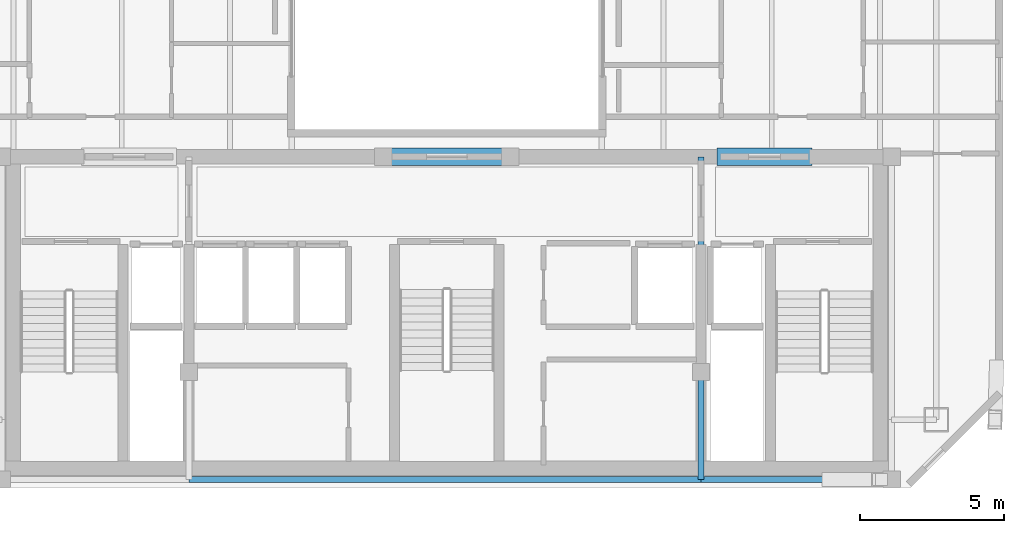
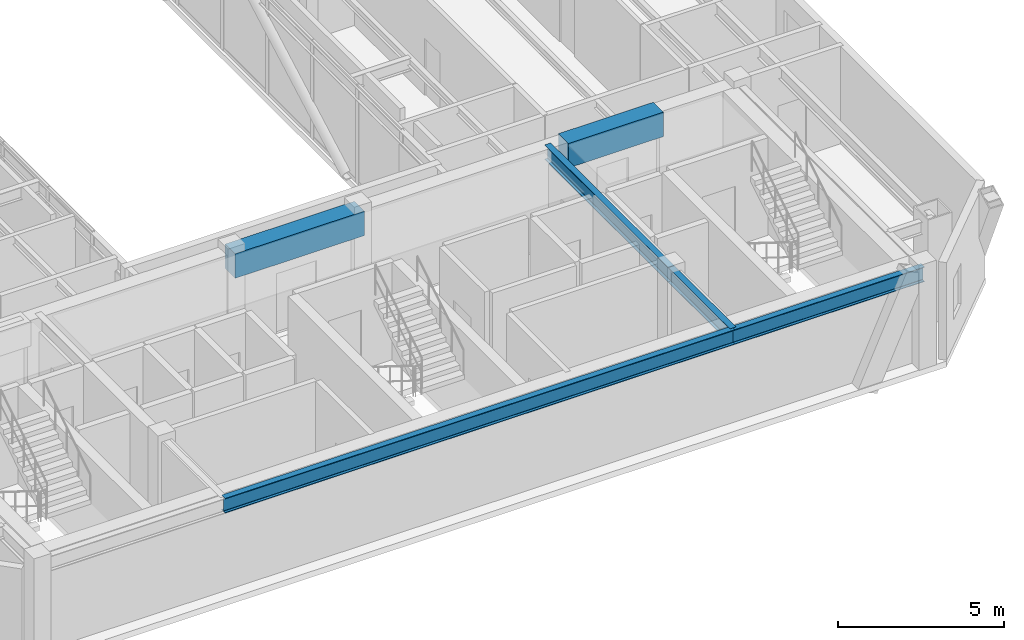
# One storey, part 3 of 19: 6 beams.
"""IFC4 building model written with IfcOpenShell, lengths in metres."""

from ifc_helpers import new_model, si_unit, direction, frame, origin, origin_2d, place, context, subcontext, project, spatial, rectangle, i_section, extrude, material, material_profile, profile_set, type_object, element, save


model = new_model("IFC4")

# Units and contexts
model_context = context("Model", 3, precision=1e-05, world=origin(), true_north=direction((0.0, 1.0)))
body_context = subcontext(model_context, "Body", "Model", "MODEL_VIEW")
ifc_project = project(units=[si_unit("LENGTHUNIT", "METRE"), si_unit("AREAUNIT", "SQUARE_METRE"), si_unit("VOLUMEUNIT", "CUBIC_METRE"), si_unit("PLANEANGLEUNIT", "RADIAN"), si_unit("MASSUNIT", "GRAM", prefix="KILO")], contexts=[model_context])

# Site, building, storey
site_placement = place(None, origin())
site = spatial("IfcSite", under=ifc_project, at=site_placement, CompositionType="ELEMENT")
building_placement = place(site_placement, origin())
building = spatial("IfcBuilding", under=site, at=building_placement, Name="Ventersveld Concourse Tower", CompositionType="ELEMENT")
storey_placement = place(building_placement, frame((0.0, 0.0, 345.199951171875)))
storey = spatial("IfcBuildingStorey", under=building, at=storey_placement, Name="L85", CompositionType="ELEMENT", Elevation=345.199951171875)

# Beams
ifc_material_1 = material(Name="Concrete C50/60", Category="concrete")
ifc_material_profile_1 = material_profile(ifc_material_1, rectangle(XDim=0.60009765625, YDim=0.89990234375, at=origin_2d()), Name="RC 600x900")
ifc_profile_set_1 = profile_set([ifc_material_profile_1], Name="Concrete C50/60")
beam_type_1 = type_object("IfcBeamType", Name="CB-RC600x900U", PredefinedType="LINTEL", material=ifc_profile_set_1)
beam_1_placement = place(storey_placement, frame((26.5, 11.449951171875, 3.14013671875), z_axis=(1.0, 0.0, 0.0), x_axis=(0.0, 1.0, 0.0)))
element("IfcBeam", 1, at=beam_1_placement, inside=storey, type_object=beam_type_1, Name="L85 Core Coupling Lintel Beam 2", PredefinedType="LINTEL", context=body_context, shape_type="SweptSolid", body=[
    extrude(rectangle(XDim=0.60009765625, YDim=0.89990234375, at=origin_2d()), origin(), (0.0, 0.0, 1.0), 4.5),
])
beam_2_placement = place(storey_placement, frame((38.10009765625, 11.449951171875, 3.14013671875), z_axis=(1.0, 0.0, 0.0), x_axis=(0.0, 1.0, 0.0)))
element("IfcBeam", 2, at=beam_2_placement, inside=storey, type_object=beam_type_1, Name="L85 Core Coupling Lintel Beam 3", PredefinedType="LINTEL", context=body_context, shape_type="SweptSolid", body=[
    extrude(rectangle(XDim=0.60009765625, YDim=0.89990234375, at=origin_2d()), origin(), (0.0, 0.0, 1.0), 3.2998046875),
])
ifc_material_2 = material(Name="Structural steel S355J2", Category="steel")
ifc_material_profile_2 = material_profile(ifc_material_2, i_section(OverallWidth=0.2119140625, OverallDepth=0.54443359375, WebThickness=0.0126953125, FlangeThickness=0.021240234375, FilletRadius=0.0126953125, at=origin_2d()), Name="UB 533x210x122")
ifc_profile_set_2 = profile_set([ifc_material_profile_2], Name="Structural steel S355J2")
beam_type_2 = type_object("IfcBeamType", Name="GRD-UB533H", PredefinedType="T_BEAM", material=ifc_profile_set_2)
beam_3_placement = place(storey_placement, frame((19.820068359375, 0.280029296875, 3.31787109375), z_axis=(1.0, 0.0, 0.0), x_axis=(0.0, 1.0, 0.0)))
element("IfcBeam", 3, at=beam_3_placement, inside=storey, type_object=beam_type_2, Name="L85 Core South Tie Beam C", PredefinedType="T_BEAM", context=body_context, shape_type="SweptSolid", body=[
    extrude(i_section(OverallWidth=0.2119140625, OverallDepth=0.54443359375, WebThickness=0.0126953125, FlangeThickness=0.021240234375, FilletRadius=0.0126953125, at=origin_2d()), origin(), (0.0, 0.0, 1.0), 17.72998046875),
])
beam_4_placement = place(storey_placement, frame((37.550048828125, 0.280029296875, 3.31787109375), z_axis=(1.0, 0.0, 0.0), x_axis=(0.0, 1.0, 0.0)))
element("IfcBeam", 4, at=beam_4_placement, inside=storey, type_object=beam_type_2, Name="L85 Core South Tie Beam E", PredefinedType="T_BEAM", context=body_context, shape_type="SweptSolid", body=[
    extrude(i_section(OverallWidth=0.2119140625, OverallDepth=0.54443359375, WebThickness=0.0126953125, FlangeThickness=0.021240234375, FilletRadius=0.0126953125, at=origin_2d()), origin(), (0.0, 0.0, 1.0), 6.599853515625),
])
beam_5_placement = place(storey_placement, frame((37.550048828125, 0.280029296875, 3.31787109375), z_axis=(0.0, 1.0, 0.0), x_axis=(-1.0, 0.0, 0.0)))
element("IfcBeam", 5, at=beam_5_placement, inside=storey, type_object=beam_type_2, Name="L85 Core Spine N-S Tie Beam E1", PredefinedType="T_BEAM", context=body_context, shape_type="SweptSolid", body=[
    extrude(i_section(OverallWidth=0.2119140625, OverallDepth=0.54443359375, WebThickness=0.0126953125, FlangeThickness=0.021240234375, FilletRadius=0.0126953125, at=origin_2d()), origin(), (0.0, 0.0, 1.0), 3.719970703125),
])
beam_6_placement = place(storey_placement, frame((37.550048828125, 4.0, 3.31787109375), z_axis=(0.0, 1.0, 0.0), x_axis=(-1.0, 0.0, 0.0)))
element("IfcBeam", 6, at=beam_6_placement, inside=storey, type_object=beam_type_2, Name="L85 Core Spine N-S Tie Beam E2", PredefinedType="T_BEAM", context=body_context, shape_type="SweptSolid", body=[
    extrude(i_section(OverallWidth=0.2119140625, OverallDepth=0.54443359375, WebThickness=0.0126953125, FlangeThickness=0.021240234375, FilletRadius=0.0126953125, at=origin_2d()), origin(), (0.0, 0.0, 1.0), 7.449951171875),
])

save(model, "model.ifc")
